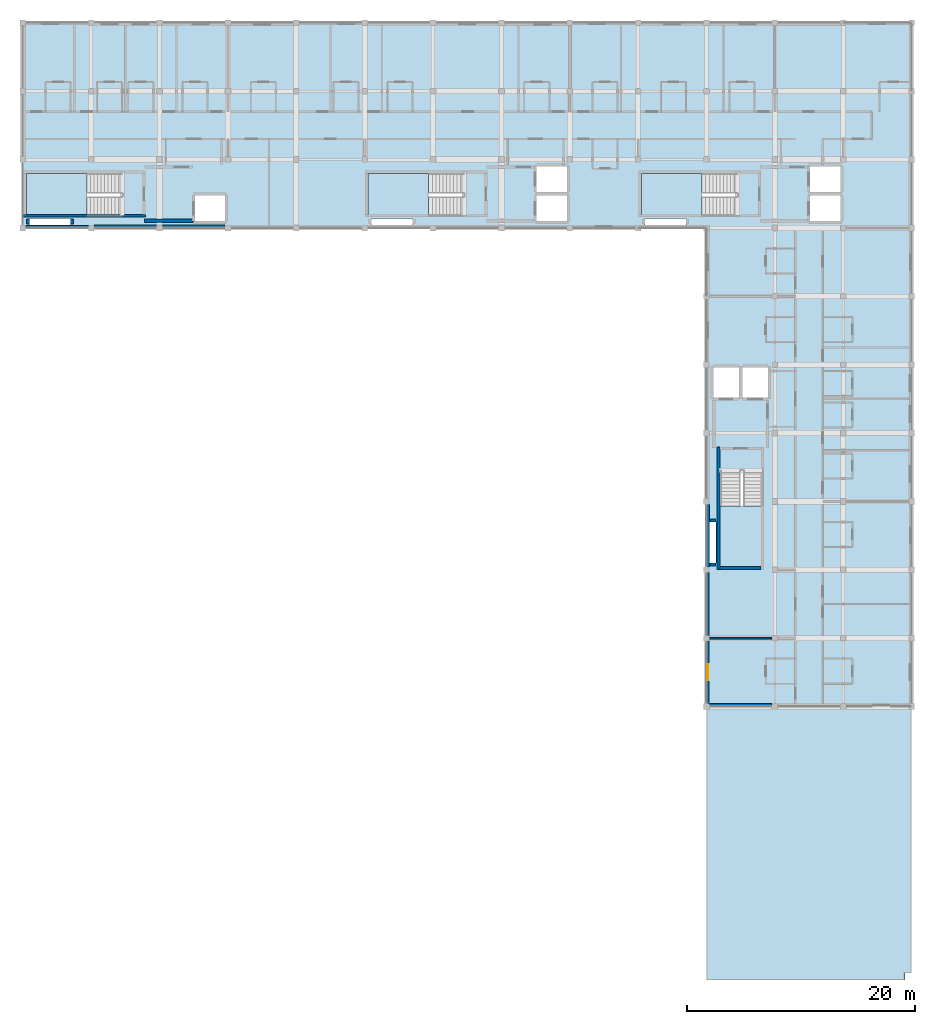
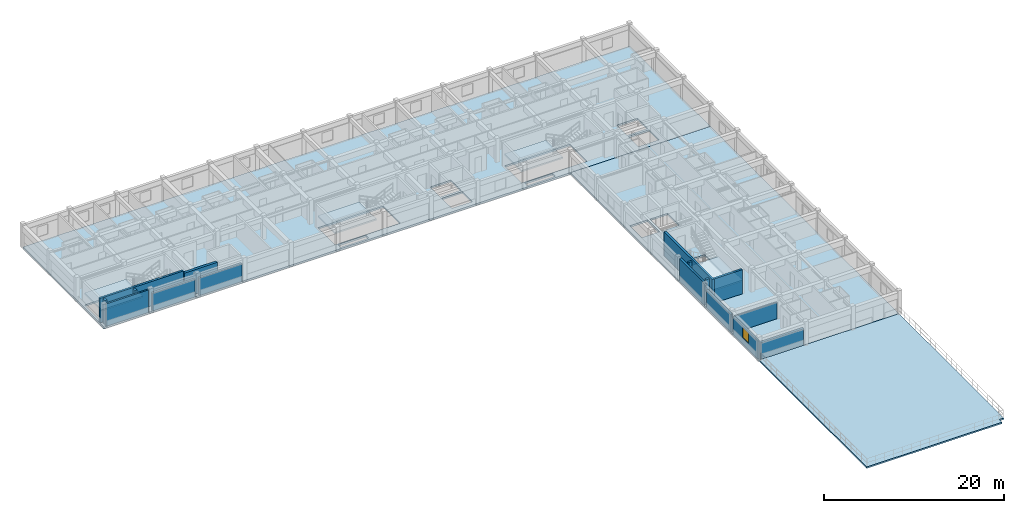
# One storey, part 2 of 14: 16 walls, 7 slabs, 1 window, 1 opening, 4 elements without a shape of their own.
"""IFC4 building model written with IfcOpenShell, lengths in metres."""

from ifc_helpers import new_model, si_unit, direction, frame, frame_2d, origin, place, context, subcontext, project, spatial, polyline, rectangle, outline, extrude, material, layer, layer_set, type_object, element, fill, aggregate, save


model = new_model("IFC4")

# Units and contexts
model_context = context("Model", 3, precision=1e-05, world=origin(), true_north=direction((0.0, 1.0)))
body_context = subcontext(model_context, "Body", "Model", "MODEL_VIEW")
ifc_project = project(units=[si_unit("LENGTHUNIT", "METRE"), si_unit("AREAUNIT", "SQUARE_METRE"), si_unit("VOLUMEUNIT", "CUBIC_METRE"), si_unit("PLANEANGLEUNIT", "RADIAN"), si_unit("MASSUNIT", "GRAM", prefix="KILO"), si_unit("THERMODYNAMICTEMPERATUREUNIT", "KELVIN"), si_unit("POWERUNIT", "WATT")], contexts=[model_context])

# Site, building, storey
site_placement = place(None, origin())
site = spatial("IfcSite", under=ifc_project, at=site_placement, CompositionType="ELEMENT")
building_placement = place(site_placement, origin())
building = spatial("IfcBuilding", under=site, at=building_placement, Name="Phaisarnlok Congress Hotel", CompositionType="ELEMENT")
storey_placement = place(building_placement, frame((0.0, 0.0, 44.699951171875)))
storey = spatial("IfcBuildingStorey", under=building, at=storey_placement, Name="L11", CompositionType="ELEMENT", Elevation=44.699951171875)

# Slabs
ifc_material_1 = material(Name="Concrete C40/50", Category="concrete")
ifc_layer_1 = layer(ifc_material_1, 0.239990234375, Name="Concrete C40/50")
ifc_layer_set_1 = layer_set([ifc_layer_1], Name="Concrete C40/50")
slab_type_1 = type_object("IfcSlabType", Name="SLB-INT-240", PredefinedType="FLOOR", material=ifc_layer_set_1)
slab_1_placement = place(storey_placement, frame((0.0, 0.0, -0.239990234375)))
element("IfcSlab", 1, at=slab_1_placement, inside=storey, type_object=slab_type_1, Name="Floor slab SL-INT-240 (L11 v5_n)", PredefinedType="FLOOR", context=body_context, shape_type="SweptSolid", body=[
    extrude(outline(polyline([(180.0, 108.0), (180.0, 126.0), (102.0, 126.0), (102.0, 108.0), (180.0, 108.0)]), holes=[polyline([(164.719970703125, 112.800048828125), (156.300048828125, 112.800048828125), (156.300048828125, 109.0), (164.719970703125, 109.0), (164.719970703125, 112.800048828125)]), polyline([(140.719970703125, 112.800048828125), (132.300048828125, 112.800048828125), (132.300048828125, 109.0), (140.719970703125, 109.0), (140.719970703125, 112.800048828125)]), polyline([(110.719970703125, 112.800048828125), (102.300048828125, 112.800048828125), (102.300048828125, 109.0), (110.719970703125, 109.0), (110.719970703125, 112.800048828125)]), polyline([(173.75, 108.60009765625), (173.75, 110.85009765625), (171.10009765625, 110.85009765625), (171.10009765625, 108.60009765625), (173.75, 108.60009765625)]), polyline([(173.75, 111.14990234375), (173.75, 113.39990234375), (171.10009765625, 113.39990234375), (171.10009765625, 111.14990234375), (173.75, 111.14990234375)]), polyline([(160.199951171875, 108.25), (160.199951171875, 108.85009765625), (156.60009765625, 108.85009765625), (156.60009765625, 108.25), (160.199951171875, 108.25)]), polyline([(149.75, 108.60009765625), (149.75, 110.85009765625), (147.10009765625, 110.85009765625), (147.10009765625, 108.60009765625), (149.75, 108.60009765625)]), polyline([(149.75, 111.14990234375), (149.75, 113.39990234375), (147.10009765625, 113.39990234375), (147.10009765625, 111.14990234375), (149.75, 111.14990234375)]), polyline([(136.199951171875, 108.25), (136.199951171875, 108.85009765625), (132.60009765625, 108.85009765625), (132.60009765625, 108.25), (136.199951171875, 108.25)]), polyline([(119.75, 108.60009765625), (119.75, 110.85009765625), (117.10009765625, 110.85009765625), (117.10009765625, 108.60009765625), (119.75, 108.60009765625)]), polyline([(106.199951171875, 108.25), (106.199951171875, 108.85009765625), (102.60009765625, 108.85009765625), (102.60009765625, 108.25), (106.199951171875, 108.25)])]), origin(), (0.0, 0.0, 1.0), 0.239990234375),
])
slab_2_placement = place(storey_placement, frame((0.0, 0.0, -0.239990234375)))
element("IfcSlab", 2, at=slab_2_placement, inside=storey, type_object=slab_type_1, Name="Floor slab SL-INT-240 (L11 v5_e)", PredefinedType="FLOOR", context=body_context, shape_type="SweptSolid", body=[
    extrude(outline(polyline([(180.0, 66.0), (180.0, 108.0), (162.0, 108.0), (162.0, 66.0), (180.0, 66.0)]), holes=[polyline([(163.199951171875, 86.719970703125), (163.199951171875, 78.300048828125), (167.0, 78.300048828125), (167.0, 86.719970703125), (163.199951171875, 86.719970703125)]), polyline([(164.85009765625, 93.10009765625), (164.85009765625, 95.75), (162.60009765625, 95.75), (162.60009765625, 93.10009765625), (164.85009765625, 93.10009765625)]), polyline([(167.39990234375, 93.10009765625), (167.39990234375, 95.75), (165.14990234375, 95.75), (165.14990234375, 93.10009765625), (167.39990234375, 93.10009765625)]), polyline([(162.85009765625, 78.60009765625), (162.85009765625, 82.199951171875), (162.25, 82.199951171875), (162.25, 78.60009765625), (162.85009765625, 78.60009765625)])]), origin(), (0.0, 0.0, 1.0), 0.239990234375),
])

# Stair, slab
stair_type = type_object("IfcStairType", Name="STR-DOG-05", PredefinedType="HALF_TURN_STAIR", material=ifc_material_1)
stair_1_placement = place(storey_placement, origin())
stair_1 = element("IfcStair", 3, at=stair_1_placement, inside=storey, type_object=stair_type, Name="L11 ST-05", PredefinedType="HALF_TURN_STAIR")
ifc_layer_2 = layer(ifc_material_1, 0.199951171875, Name="Concrete C40/50")
ifc_layer_set_2 = layer_set([ifc_layer_2], Name="Concrete C40/50")
slab_type_2 = type_object("IfcSlabType", Name="SLB-LND-200", PredefinedType="LANDING", material=ifc_layer_set_2)
slab_3_placement = place(storey_placement, frame((0.0, 0.0, 1.449951171875)))
slab_3 = element("IfcSlab", 4, at=slab_3_placement, type_object=slab_type_2, Name="ST-05 landing 1", PredefinedType="LANDING", context=body_context, shape_type="SweptSolid", body=[
    extrude(outline(polyline([(161.6201171875, 112.800048828125), (156.300048828125, 112.800048828125), (156.300048828125, 109.0), (161.6201171875, 109.0), (161.6201171875, 112.800048828125)])), origin(), (0.0, 0.0, 1.0), 0.2001953125),
])
aggregate(stair_1, [slab_3])

stair_2_placement = place(storey_placement, origin())
stair_2 = element("IfcStair", 5, at=stair_2_placement, inside=storey, type_object=stair_type, Name="L11 ST-06", PredefinedType="HALF_TURN_STAIR")
slab_4_placement = place(storey_placement, frame((0.0, 0.0, 1.449951171875)))
slab_4 = element("IfcSlab", 6, at=slab_4_placement, type_object=slab_type_2, Name="ST-06 landing 1", PredefinedType="LANDING", context=body_context, shape_type="SweptSolid", body=[
    extrude(outline(polyline([(137.6201171875, 112.800048828125), (132.300048828125, 112.800048828125), (132.300048828125, 109.0), (137.6201171875, 109.0), (137.6201171875, 112.800048828125)])), origin(), (0.0, 0.0, 1.0), 0.2001953125),
])
aggregate(stair_2, [slab_4])

stair_3_placement = place(storey_placement, origin())
stair_3 = element("IfcStair", 7, at=stair_3_placement, inside=storey, type_object=stair_type, Name="L11 ST-07", PredefinedType="HALF_TURN_STAIR")
slab_5_placement = place(storey_placement, frame((0.0, 0.0, 1.449951171875)))
slab_5 = element("IfcSlab", 8, at=slab_5_placement, type_object=slab_type_2, Name="ST-07 landing 1", PredefinedType="LANDING", context=body_context, shape_type="SweptSolid", body=[
    extrude(outline(polyline([(107.6201171875, 112.800048828125), (102.300048828125, 112.800048828125), (102.300048828125, 109.0), (107.6201171875, 109.0), (107.6201171875, 112.800048828125)])), origin(), (0.0, 0.0, 1.0), 0.2001953125),
])
aggregate(stair_3, [slab_5])

stair_4_placement = place(storey_placement, origin())
stair_4 = element("IfcStair", 9, at=stair_4_placement, inside=storey, type_object=stair_type, Name="L11 ST-09", PredefinedType="HALF_TURN_STAIR")
slab_6_placement = place(storey_placement, frame((0.0, 0.0, 1.449951171875)))
slab_6 = element("IfcSlab", 10, at=slab_6_placement, type_object=slab_type_2, Name="ST-09 landing 1", PredefinedType="LANDING", context=body_context, shape_type="SweptSolid", body=[
    extrude(outline(polyline([(163.199951171875, 83.6201171875), (163.199951171875, 78.300048828125), (167.0, 78.300048828125), (167.0, 83.6201171875), (163.199951171875, 83.6201171875)])), origin(), (0.0, 0.0, 1.0), 0.2001953125),
])
aggregate(stair_4, [slab_6])

# Slab
ifc_layer_3 = layer(ifc_material_1, 0.199951171875, Name="Concrete C40/50")
ifc_layer_set_3 = layer_set([ifc_layer_3], Name="Concrete C40/50")
slab_type_3 = type_object("IfcSlabType", Name="SLB-TER-200", PredefinedType="FLOOR", material=ifc_layer_set_3)
slab_7_placement = place(storey_placement, frame((0.0, 0.0, -0.199951171875)))
element("IfcSlab", 11, at=slab_7_placement, inside=storey, type_object=slab_type_3, Name="Outdoor terrace slab SL-TER-200 (L11 sky_terrace_s11)", PredefinedType="FLOOR", context=body_context, shape_type="SweptSolid", body=[
    extrude(outline(polyline([(162.0, 42.0), (179.39990234375, 42.0), (179.39990234375, 42.60009765625), (180.0, 42.60009765625), (180.0, 66.0), (162.0, 66.0), (162.0, 42.0)])), origin(), (0.0, 0.0, 1.0), 0.199951171875),
])

# Wall
ifc_layer_4 = layer(ifc_material_1, 0.2099609375, Name="Concrete C40/50")
ifc_layer_set_4 = layer_set([ifc_layer_4], Name="Concrete C40/50")
wall_type_1 = type_object("IfcWallType", Name="WL-EXT-210", PredefinedType="SOLIDWALL", material=ifc_layer_set_4)
wall_1_placement = place(storey_placement, frame((102.2548828125, 108.10498046875, 0.0), z_axis=(0.0, 0.0, 1.0), x_axis=(1.0, 0.0, 0.0)))
element("IfcWall", 12, at=wall_1_placement, inside=storey, type_object=wall_type_1, Name="Exterior wall EW-07 (L11)", PredefinedType="SOLIDWALL", context=body_context, shape_type="SweptSolid", body=[
    extrude(rectangle(XDim=5.490234375, YDim=0.2099609375, at=frame_2d((2.7451171875, 0.0))), origin(), (0.0, 0.0, 1.0), 3.050048828125),
])

# Wall, opening, window
wall_2_placement = place(storey_placement, frame((162.10498046875, 71.7451171875, 0.0), z_axis=(0.0, 0.0, 1.0), x_axis=(0.0, -1.0, 0.0)))
wall_2 = element("IfcWall", 13, at=wall_2_placement, inside=storey, type_object=wall_type_1, Name="Exterior wall EW-07 (L11)", PredefinedType="SOLIDWALL", context=body_context, shape_type="SweptSolid", body=[
    extrude(rectangle(XDim=5.490234375, YDim=0.2099609375, at=frame_2d((2.7451171875, 0.0))), origin(), (0.0, 0.0, 1.0), 2.400146484375),
])
opening_placement = place(wall_2_placement, frame((2.044921875, 0.0, 0.800048828125)))
opening = element("IfcOpeningElement", 14, at=opening_placement, cuts=wall_2, Name="Opening W-13", PredefinedType="OPENING", context=body_context, shape_type="SweptSolid", body=[
    extrude(rectangle(XDim=1.39990234375, YDim=1.39990234375, at=frame_2d((0.699951171875, 0.699951171875))), frame((0.0, 0.114990234375, 0.0), z_axis=(0.0, -1.0, 0.0), x_axis=(1.0, 0.0, 0.0)), (0.0, 0.0, 1.0), 0.22998046875),
])
ifc_material_2 = material(Name="Thermally Broken Aluminium & Low-E Double Glazing", Category="aluminium")
window_type = type_object("IfcWindowType", Name="WIN-POD-1400", PartitioningType="SINGLE_PANEL", PredefinedType="WINDOW", material=ifc_material_2)
window_placement = place(opening_placement, origin())
window = element("IfcWindow", 15, at=window_placement, inside=storey, type_object=window_type, Name="Guestroom window W-13 (L11)", OverallHeight=1.39990234375, OverallWidth=1.39990234375, PartitioningType="SINGLE_PANEL", PredefinedType="WINDOW", context=body_context, shape_type="SweptSolid", body=[
    extrude(rectangle(XDim=1.39990234375, YDim=1.39990234375, at=frame_2d((0.699951171875, 0.699951171875))), frame((0.0, 0.030029296875, 0.0), z_axis=(0.0, -1.0, 0.0), x_axis=(1.0, 0.0, 0.0)), (0.0, 0.0, 1.0), 0.06005859375),
])
fill(opening, window)

# Walls
ifc_layer_5 = layer(ifc_material_1, 0.22998046875, Name="Concrete C40/50")
ifc_layer_set_5 = layer_set([ifc_layer_5], Name="Concrete C40/50")
wall_type_2 = type_object("IfcWallType", Name="WL-EXT-230", PredefinedType="SOLIDWALL", material=ifc_layer_set_5)
wall_3_placement = place(storey_placement, frame((162.114990234375, 77.7451171875, 0.0), z_axis=(0.0, 0.0, 1.0), x_axis=(0.0, -1.0, 0.0)))
element("IfcWall", 16, at=wall_3_placement, inside=storey, type_object=wall_type_2, Name="Exterior wall EW-06 (L11)", PredefinedType="SOLIDWALL", context=body_context, shape_type="SweptSolid", body=[
    extrude(rectangle(XDim=5.490234375, YDim=0.22998046875, at=frame_2d((2.7451171875, 0.0))), origin(), (0.0, 0.0, 1.0), 2.400146484375),
])
ifc_layer_6 = layer(ifc_material_1, 0.25, Name="Concrete C40/50")
ifc_layer_set_6 = layer_set([ifc_layer_6], Name="Concrete C40/50")
wall_type_3 = type_object("IfcWallType", Name="WL-EXT-250", PredefinedType="SOLIDWALL", material=ifc_layer_set_6)
wall_4_placement = place(storey_placement, frame((114.2548828125, 108.125, 0.0), z_axis=(0.0, 0.0, 1.0), x_axis=(1.0, 0.0, 0.0)))
element("IfcWall", 17, at=wall_4_placement, inside=storey, type_object=wall_type_3, Name="Exterior wall EW-05 (L11)", PredefinedType="SOLIDWALL", context=body_context, shape_type="SweptSolid", body=[
    extrude(rectangle(XDim=5.490234375, YDim=0.25, at=frame_2d((2.7451171875, 0.0))), origin(), (0.0, 0.0, 1.0), 2.400146484375),
])
wall_5_placement = place(storey_placement, frame((162.125, 83.7451171875, 0.0), z_axis=(0.0, 0.0, 1.0), x_axis=(0.0, -1.0, 0.0)))
element("IfcWall", 18, at=wall_5_placement, inside=storey, type_object=wall_type_3, Name="Exterior wall EW-05 (L11)", PredefinedType="SOLIDWALL", context=body_context, shape_type="SweptSolid", body=[
    extrude(rectangle(XDim=5.490234375, YDim=0.25, at=frame_2d((2.7451171875, 0.0))), origin(), (0.0, 0.0, 1.0), 3.050048828125),
])
ifc_layer_7 = layer(ifc_material_1, 0.27001953125, Name="Concrete C40/50")
ifc_layer_set_7 = layer_set([ifc_layer_7], Name="Concrete C40/50")
wall_type_4 = type_object("IfcWallType", Name="WL-EXT-270", PredefinedType="SOLIDWALL", material=ifc_layer_set_7)
wall_6_placement = place(storey_placement, frame((108.2548828125, 108.135009765625, 0.0), z_axis=(0.0, 0.0, 1.0), x_axis=(1.0, 0.0, 0.0)))
element("IfcWall", 19, at=wall_6_placement, inside=storey, type_object=wall_type_4, Name="Exterior wall EW-04 (L11)", PredefinedType="SOLIDWALL", context=body_context, shape_type="SweptSolid", body=[
    extrude(rectangle(XDim=5.490234375, YDim=0.27001953125, at=frame_2d((2.7451171875, 0.0))), origin(), (0.0, 0.0, 1.0), 2.400146484375),
])
wall_7_placement = place(storey_placement, frame((162.2548828125, 66.135009765625, 0.0), z_axis=(0.0, 0.0, 1.0), x_axis=(1.0, 0.0, 0.0)))
element("IfcWall", 20, at=wall_7_placement, inside=storey, type_object=wall_type_4, Name="Exterior wall EW-04 (L11)", PredefinedType="SOLIDWALL", context=body_context, shape_type="SweptSolid", body=[
    extrude(rectangle(XDim=5.490234375, YDim=0.27001953125, at=frame_2d((2.7451171875, 0.0))), origin(), (0.0, 0.0, 1.0), 2.25),
])
ifc_material_3 = material(Name="Acoustic Gypsum Board & Mineral Wool", Category="gypsum")
ifc_layer_8 = layer(ifc_material_3, 0.14990234375, Name="Acoustic Gypsum Board & Mineral Wool")
ifc_layer_set_8 = layer_set([ifc_layer_8], Name="Acoustic Gypsum Board & Mineral Wool")
wall_type_5 = type_object("IfcWallType", Name="WL-INT-150", PredefinedType="PARTITIONING", material=ifc_layer_set_8)
wall_8_placement = place(storey_placement, frame((162.280029296875, 72.0, 0.0), z_axis=(0.0, 0.0, 1.0), x_axis=(1.0, 0.0, 0.0)))
element("IfcWall", 21, at=wall_8_placement, inside=storey, type_object=wall_type_5, Name="Interior partition wall IW-05 (L11)", PredefinedType="PARTITIONING", context=body_context, shape_type="SweptSolid", body=[
    extrude(rectangle(XDim=5.465087890625, YDim=0.14990234375, at=frame_2d((2.732421875, 0.0))), origin(), (0.0, 0.0, 1.0), 2.25),
])
ifc_material_4 = material(Name="Concrete C50/60", Category="concrete")
ifc_layer_9 = layer(ifc_material_4, 0.260009765625, Name="Concrete C50/60")
ifc_layer_set_9 = layer_set([ifc_layer_9], Name="Concrete C50/60")
wall_type_6 = type_object("IfcWallType", Name="WL-SHR-260", PredefinedType="SHEAR", material=ifc_layer_set_9)
wall_9_placement = place(storey_placement, frame((163.070068359375, 78.0400390625, 0.0), z_axis=(0.0, 0.0, 1.0), x_axis=(0.0, 1.0, 0.0)))
element("IfcWall", 22, at=wall_9_placement, inside=storey, type_object=wall_type_6, Name="Stair shaft shear wall SW-04 (CORE-3 L11)", PredefinedType="SHEAR", context=body_context, shape_type="SweptSolid", body=[
    extrude(rectangle(XDim=10.719970703125, YDim=0.260009765625, at=frame_2d((5.35986328125, 0.0))), origin(), (0.0, 0.0, 1.0), 3.300048828125),
])
wall_10_placement = place(storey_placement, frame((163.199951171875, 78.169921875, 0.0), z_axis=(0.0, 0.0, 1.0), x_axis=(1.0, 0.0, 0.0)))
element("IfcWall", 23, at=wall_10_placement, inside=storey, type_object=wall_type_6, Name="Stair shaft shear wall SW-04 (CORE-3 L11)", PredefinedType="SHEAR", context=body_context, shape_type="SweptSolid", body=[
    extrude(rectangle(XDim=3.60009765625, YDim=0.260009765625, at=frame_2d((1.800048828125, 0.0))), origin(), (0.0, 0.0, 1.0), 3.300048828125),
])
for number, where, z_axis, x_axis, name in (
    (24, (162.330078125, 78.469970703125, 0.0), (0.0, 0.0, 1.0), (1.0, 0.0, 0.0), "Service riser shaft wall SW-04 (CORE-3 L11)"),
    (25, (162.330078125, 82.330078125, 0.0), (0.0, 0.0, 1.0), (1.0, 0.0, 0.0), "Service riser shaft wall SW-04 (CORE-3 L11)"),
):
    element("IfcWall", number, at=place(storey_placement, frame(where, z_axis=z_axis, x_axis=x_axis)), inside=storey, type_object=wall_type_6, Name=name, PredefinedType="SHEAR", context=body_context, shape_type="SweptSolid", body=[
        extrude(rectangle(XDim=0.43994140625, YDim=0.260009765625, at=frame_2d((0.219970703125, 0.0))), origin(), (0.0, 0.0, 1.0), 3.300048828125),
    ])
wall_11_placement = place(storey_placement, frame((102.0400390625, 109.070068359375, 0.0), z_axis=(0.0, 0.0, 1.0), x_axis=(1.0, 0.0, 0.0)))
element("IfcWall", 26, at=wall_11_placement, inside=storey, type_object=wall_type_6, Name="Stair shaft shear wall SW-04 (CORE-4 L11)", PredefinedType="SHEAR", context=body_context, shape_type="SweptSolid", body=[
    extrude(rectangle(XDim=10.719970703125, YDim=0.260009765625, at=frame_2d((5.35986328125, 0.0))), origin(), (0.0, 0.0, 1.0), 3.300048828125),
])
for number, where, z_axis, x_axis, name in (
    (27, (102.469970703125, 108.330078125, 0.0), (0.0, 0.0, 1.0), (0.0, 1.0, 0.0), "Service riser shaft wall SW-04 (CORE-4 L11)"),
    (28, (106.330078125, 108.330078125, 0.0), (0.0, 0.0, 1.0), (0.0, 1.0, 0.0), "Service riser shaft wall SW-04 (CORE-4 L11)"),
):
    element("IfcWall", number, at=place(storey_placement, frame(where, z_axis=z_axis, x_axis=x_axis)), inside=storey, type_object=wall_type_6, Name=name, PredefinedType="SHEAR", context=body_context, shape_type="SweptSolid", body=[
        extrude(rectangle(XDim=0.43994140625, YDim=0.260009765625, at=frame_2d((0.219970703125, 0.0))), origin(), (0.0, 0.0, 1.0), 3.300048828125),
    ])
ifc_layer_10 = layer(ifc_material_4, 0.300048828125, Name="Concrete C50/60")
ifc_layer_set_10 = layer_set([ifc_layer_10], Name="Concrete C50/60")
wall_type_7 = type_object("IfcWallType", Name="WL-SHR-300", PredefinedType="SHEAR", material=ifc_layer_set_10)
wall_12_placement = place(storey_placement, frame((112.679931640625, 108.64990234375, 0.0), z_axis=(0.0, 0.0, 1.0), x_axis=(1.0, 0.0, 0.0)))
element("IfcWall", 29, at=wall_12_placement, inside=storey, type_object=wall_type_7, Name="Core lobby EI-120 wall SW-03 (CORE-4 L11)", PredefinedType="SHEAR", context=body_context, shape_type="SweptSolid", body=[
    extrude(rectangle(XDim=4.239990234375, YDim=0.300048828125, at=frame_2d((2.1201171875, 0.0))), origin(), (0.0, 0.0, 1.0), 3.300048828125),
])

save(model, "model.ifc")
